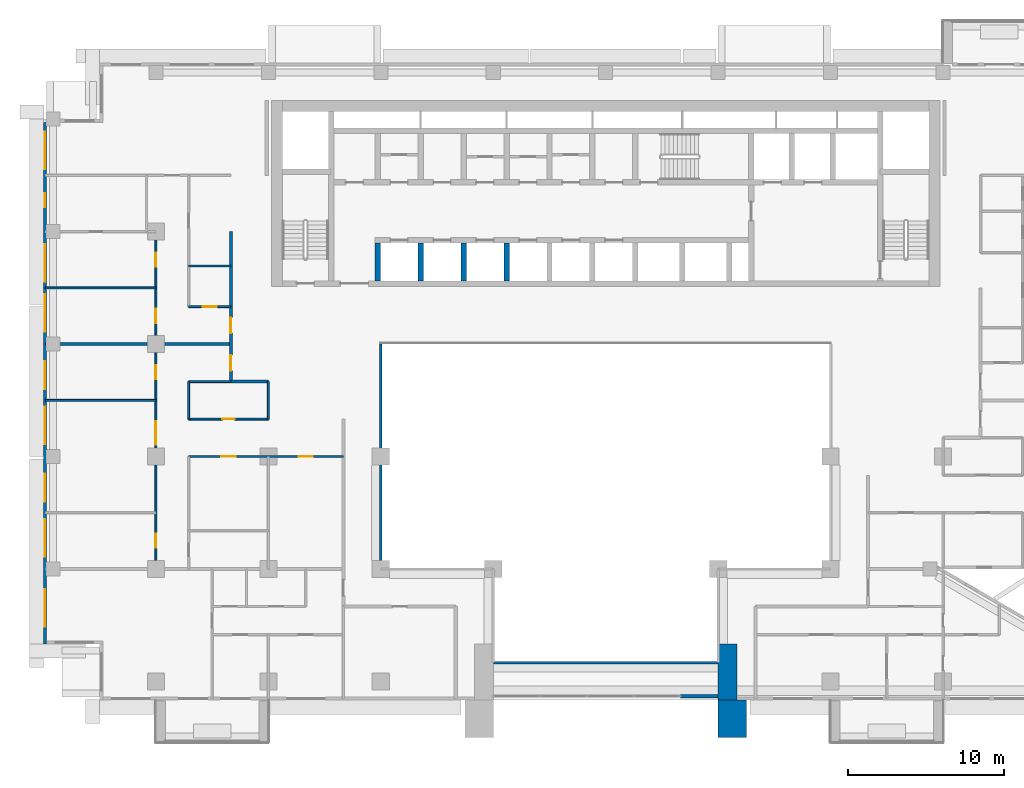
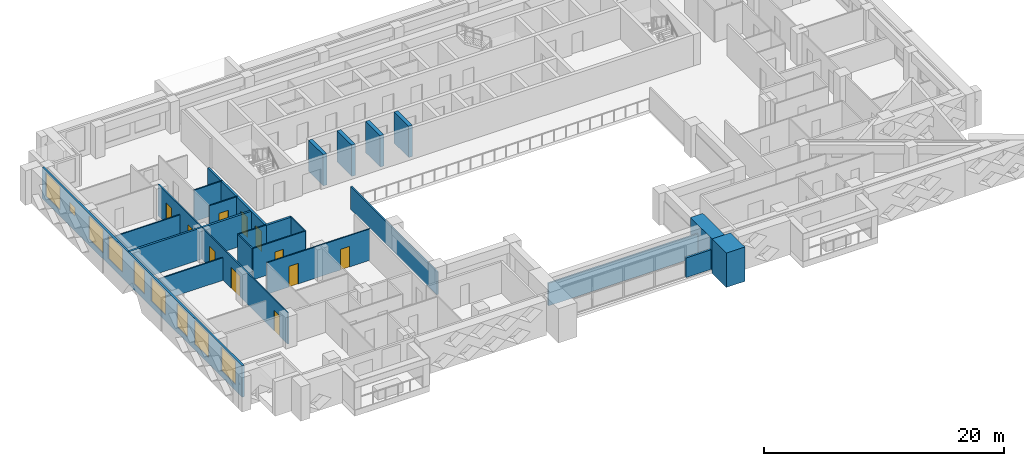
# One storey, part 7 of 19: 23 walls, 11 doors, 9 windows, 20 openings.
"""IFC4 building model written with IfcOpenShell, lengths in metres."""

from ifc_helpers import new_model, si_unit, direction, frame, frame_2d, origin, place, context, subcontext, project, spatial, rectangle, extrude, material, layer, layer_set, type_object, element, fill, save


model = new_model("IFC4")

# Units and contexts
model_context = context("Model", 3, precision=1e-05, world=origin(), true_north=direction((0.0, 1.0)))
body_context = subcontext(model_context, "Body", "Model", "MODEL_VIEW")
ifc_project = project(units=[si_unit("LENGTHUNIT", "METRE"), si_unit("AREAUNIT", "SQUARE_METRE"), si_unit("VOLUMEUNIT", "CUBIC_METRE"), si_unit("PLANEANGLEUNIT", "RADIAN"), si_unit("MASSUNIT", "GRAM", prefix="KILO")], contexts=[model_context])

# Site, building, storey
site_placement = place(None, origin())
site = spatial("IfcSite", under=ifc_project, at=site_placement, CompositionType="ELEMENT")
building_placement = place(site_placement, origin())
building = spatial("IfcBuilding", under=site, at=building_placement, Name="Saffron Iwan Residences", CompositionType="ELEMENT")
storey_placement = place(building_placement, frame((0.0, 0.0, 116.5)))
storey = spatial("IfcBuildingStorey", under=building, at=storey_placement, Name="L30", CompositionType="ELEMENT", Elevation=116.5)

# Walls
ifc_material_1 = material(Name="Fire-rated glazing", Category="glass")
ifc_layer_1 = layer(ifc_material_1, 0.14990234375)
ifc_layer_set_1 = layer_set([ifc_layer_1], Name="Fire-rated glazing")
wall_type_1 = type_object("IfcWallType", Name="Atrium glazed screen 150", PredefinedType="SOLIDWALL", material=ifc_layer_set_1)
wall_1_placement = place(storey_placement, frame((43.199951171875, 42.0, 0.0), z_axis=(0.0, 0.0, 1.0), x_axis=(1.0, 0.0, 0.0)))
element("IfcWall", 1, at=wall_1_placement, inside=storey, type_object=wall_type_1, Name="W-L30-SCREEN-h42-43.2", PredefinedType="SOLIDWALL", context=body_context, shape_type="SweptSolid", body=[
    extrude(rectangle(XDim=14.400146484375, YDim=0.14990234375, at=frame_2d((7.2001953125, 0.0))), origin(), (0.0, 0.0, 1.0), 2.300048828125),
])
wall_2_placement = place(storey_placement, frame((36.0, 48.0, 0.0), z_axis=(0.0, 0.0, 1.0), x_axis=(0.0, 1.0, 0.0)))
element("IfcWall", 2, at=wall_2_placement, inside=storey, type_object=wall_type_1, Name="W-L30-SCREEN-v36-48", PredefinedType="SOLIDWALL", context=body_context, shape_type="SweptSolid", body=[
    extrude(rectangle(XDim=14.39990234375, YDim=0.14990234375, at=frame_2d((7.199951171875, 0.0))), origin(), (0.0, 0.0, 1.0), 2.300048828125),
])

# Wall, openings, windows
ifc_material_2 = material(Name="Concrete C40/50", Category="concrete")
ifc_layer_2 = layer(ifc_material_2, 0.199951171875)
ifc_layer_set_2 = layer_set([ifc_layer_2], Name="Concrete C40/50")
wall_type_2 = type_object("IfcWallType", Name="EXTERNAL WALL 200", PredefinedType="SOLIDWALL", material=ifc_layer_set_2)
wall_3_placement = place(storey_placement, frame((14.5, 76.60009765625, 0.0), z_axis=(0.0, 0.0, 1.0), x_axis=(0.0, -1.0, 0.0)))
wall_3 = element("IfcWall", 3, at=wall_3_placement, inside=storey, type_object=wall_type_2, Name="External wall L30 F8.0", PredefinedType="SOLIDWALL", context=body_context, shape_type="SweptSolid", body=[
    extrude(rectangle(XDim=33.400146484375, YDim=0.199951171875, at=frame_2d((16.7001953125, 0.0))), origin(), (0.0, 0.0, 1.0), 3.199951171875),
])
opening_1_placement = place(wall_3_placement, frame((29.89990234375, 0.0, 0.60009765625)))
opening_1 = element("IfcOpeningElement", 4, at=opening_1_placement, cuts=wall_3, Name="Opening W1", PredefinedType="OPENING", context=body_context, shape_type="SweptSolid", body=[
    extrude(rectangle(XDim=2.39990234375, YDim=2.39990234375, at=frame_2d((1.199951171875, 1.199951171875))), frame((0.0, 0.10986328125, 0.0), z_axis=(0.0, -1.0, 0.0), x_axis=(1.0, 0.0, 0.0)), (0.0, 0.0, 1.0), 0.219970703125),
])
opening_2_placement = place(wall_3_placement, frame((25.39990234375, 0.0, 0.60009765625)))
opening_2 = element("IfcOpeningElement", 5, at=opening_2_placement, cuts=wall_3, Name="Opening W1", PredefinedType="OPENING", context=body_context, shape_type="SweptSolid", body=[
    extrude(rectangle(XDim=2.39990234375, YDim=2.39990234375, at=frame_2d((1.199951171875, 1.199951171875))), frame((0.0, 0.10986328125, 0.0), z_axis=(0.0, -1.0, 0.0), x_axis=(1.0, 0.0, 0.0)), (0.0, 0.0, 1.0), 0.219970703125),
])
opening_3_placement = place(wall_3_placement, frame((18.199951171875, 0.0, 0.60009765625)))
opening_3 = element("IfcOpeningElement", 6, at=opening_3_placement, cuts=wall_3, Name="Opening W1", PredefinedType="OPENING", context=body_context, shape_type="SweptSolid", body=[
    extrude(rectangle(XDim=2.39990234375, YDim=2.39990234375, at=frame_2d((1.199951171875, 1.199951171875))), frame((0.0, 0.10986328125, 0.0), z_axis=(0.0, -1.0, 0.0), x_axis=(1.0, 0.0, 0.0)), (0.0, 0.0, 1.0), 0.219970703125),
])
opening_4_placement = place(wall_3_placement, frame((22.5, 0.0, 0.60009765625)))
opening_4 = element("IfcOpeningElement", 7, at=opening_4_placement, cuts=wall_3, Name="Opening W8", PredefinedType="OPENING", context=body_context, shape_type="SweptSolid", body=[
    extrude(rectangle(XDim=1.800048828125, YDim=2.39990234375, at=frame_2d((0.89990234375, 1.199951171875))), frame((0.0, 0.10986328125, 0.0), z_axis=(0.0, -1.0, 0.0), x_axis=(1.0, 0.0, 0.0)), (0.0, 0.0, 1.0), 0.219970703125),
])
opening_5_placement = place(wall_3_placement, frame((15.300048828125, 0.0, 0.60009765625)))
opening_5 = element("IfcOpeningElement", 8, at=opening_5_placement, cuts=wall_3, Name="Opening W8", PredefinedType="OPENING", context=body_context, shape_type="SweptSolid", body=[
    extrude(rectangle(XDim=1.800048828125, YDim=2.39990234375, at=frame_2d((0.89990234375, 1.199951171875))), frame((0.0, 0.10986328125, 0.0), z_axis=(0.0, -1.0, 0.0), x_axis=(1.0, 0.0, 0.0)), (0.0, 0.0, 1.0), 0.219970703125),
])
opening_6_placement = place(wall_3_placement, frame((11.0, 0.0, 0.60009765625)))
opening_6 = element("IfcOpeningElement", 9, at=opening_6_placement, cuts=wall_3, Name="Opening W1", PredefinedType="OPENING", context=body_context, shape_type="SweptSolid", body=[
    extrude(rectangle(XDim=2.39990234375, YDim=2.39990234375, at=frame_2d((1.199951171875, 1.199951171875))), frame((0.0, 0.10986328125, 0.0), z_axis=(0.0, -1.0, 0.0), x_axis=(1.0, 0.0, 0.0)), (0.0, 0.0, 1.0), 0.219970703125),
])
opening_7_placement = place(wall_3_placement, frame((7.800048828125, 0.0, 0.60009765625)))
opening_7 = element("IfcOpeningElement", 10, at=opening_7_placement, cuts=wall_3, Name="Opening W1", PredefinedType="OPENING", context=body_context, shape_type="SweptSolid", body=[
    extrude(rectangle(XDim=2.39990234375, YDim=2.39990234375, at=frame_2d((1.199951171875, 1.199951171875))), frame((0.0, 0.10986328125, 0.0), z_axis=(0.0, -1.0, 0.0), x_axis=(1.0, 0.0, 0.0)), (0.0, 0.0, 1.0), 0.219970703125),
])
opening_8_placement = place(wall_3_placement, frame((4.550048828125, 0.0, 1.5)))
opening_8 = element("IfcOpeningElement", 11, at=opening_8_placement, cuts=wall_3, Name="Opening W6", PredefinedType="OPENING", context=body_context, shape_type="SweptSolid", body=[
    extrude(rectangle(XDim=0.89990234375, YDim=0.89990234375, at=frame_2d((0.449951171875, 0.449951171875))), frame((0.0, 0.10986328125, 0.0), z_axis=(0.0, -1.0, 0.0), x_axis=(1.0, 0.0, 0.0)), (0.0, 0.0, 1.0), 0.219970703125),
])
opening_9_placement = place(wall_3_placement, frame((0.60009765625, 0.0, 0.60009765625)))
opening_9 = element("IfcOpeningElement", 12, at=opening_9_placement, cuts=wall_3, Name="Opening W1", PredefinedType="OPENING", context=body_context, shape_type="SweptSolid", body=[
    extrude(rectangle(XDim=2.39990234375, YDim=2.39990234375, at=frame_2d((1.199951171875, 1.199951171875))), frame((0.0, 0.10986328125, 0.0), z_axis=(0.0, -1.0, 0.0), x_axis=(1.0, 0.0, 0.0)), (0.0, 0.0, 1.0), 0.219970703125),
])
ifc_material_3 = material(Name="Clear glass, laminated double glazed", Category="glass")
window_type_1 = type_object("IfcWindowType", Name="WINDOW 1800 x 2400", PartitioningType="DOUBLE_PANEL_VERTICAL", PredefinedType="WINDOW", material=ifc_material_3)
window_1_placement = place(opening_4_placement, origin())
window_1 = element("IfcWindow", 13, at=window_1_placement, inside=storey, type_object=window_type_1, Name="Window L30 F8.3", OverallHeight=2.39990234375, OverallWidth=1.800048828125, PartitioningType="DOUBLE_PANEL_VERTICAL", PredefinedType="WINDOW", context=body_context, shape_type="SweptSolid", body=[
    extrude(rectangle(XDim=1.800048828125, YDim=2.39990234375, at=frame_2d((0.89990234375, 1.199951171875))), frame((0.0, 0.030029296875, 0.0), z_axis=(0.0, -1.0, 0.0), x_axis=(1.0, 0.0, 0.0)), (0.0, 0.0, 1.0), 0.06005859375),
])
fill(opening_4, window_1)
window_2_placement = place(opening_5_placement, origin())
window_2 = element("IfcWindow", 14, at=window_2_placement, inside=storey, type_object=window_type_1, Name="Window L30 F8.4", OverallHeight=2.39990234375, OverallWidth=1.800048828125, PartitioningType="DOUBLE_PANEL_VERTICAL", PredefinedType="WINDOW", context=body_context, shape_type="SweptSolid", body=[
    extrude(rectangle(XDim=1.800048828125, YDim=2.39990234375, at=frame_2d((0.89990234375, 1.199951171875))), frame((0.0, 0.030029296875, 0.0), z_axis=(0.0, -1.0, 0.0), x_axis=(1.0, 0.0, 0.0)), (0.0, 0.0, 1.0), 0.06005859375),
])
fill(opening_5, window_2)
window_type_2 = type_object("IfcWindowType", Name="WINDOW 2400 x 2400", PartitioningType="DOUBLE_PANEL_VERTICAL", PredefinedType="WINDOW", material=ifc_material_3)
window_3_placement = place(opening_1_placement, origin())
window_3 = element("IfcWindow", 15, at=window_3_placement, inside=storey, type_object=window_type_2, Name="Window L30 F8.0", OverallHeight=2.39990234375, OverallWidth=2.39990234375, PartitioningType="DOUBLE_PANEL_VERTICAL", PredefinedType="WINDOW", context=body_context, shape_type="SweptSolid", body=[
    extrude(rectangle(XDim=2.39990234375, YDim=2.39990234375, at=frame_2d((1.199951171875, 1.199951171875))), frame((0.0, 0.030029296875, 0.0), z_axis=(0.0, -1.0, 0.0), x_axis=(1.0, 0.0, 0.0)), (0.0, 0.0, 1.0), 0.06005859375),
])
fill(opening_1, window_3)
window_4_placement = place(opening_2_placement, origin())
window_4 = element("IfcWindow", 16, at=window_4_placement, inside=storey, type_object=window_type_2, Name="Window L30 F8.1", OverallHeight=2.39990234375, OverallWidth=2.39990234375, PartitioningType="DOUBLE_PANEL_VERTICAL", PredefinedType="WINDOW", context=body_context, shape_type="SweptSolid", body=[
    extrude(rectangle(XDim=2.39990234375, YDim=2.39990234375, at=frame_2d((1.199951171875, 1.199951171875))), frame((0.0, 0.030029296875, 0.0), z_axis=(0.0, -1.0, 0.0), x_axis=(1.0, 0.0, 0.0)), (0.0, 0.0, 1.0), 0.06005859375),
])
fill(opening_2, window_4)
window_5_placement = place(opening_3_placement, origin())
window_5 = element("IfcWindow", 17, at=window_5_placement, inside=storey, type_object=window_type_2, Name="Window L30 F8.2", OverallHeight=2.39990234375, OverallWidth=2.39990234375, PartitioningType="DOUBLE_PANEL_VERTICAL", PredefinedType="WINDOW", context=body_context, shape_type="SweptSolid", body=[
    extrude(rectangle(XDim=2.39990234375, YDim=2.39990234375, at=frame_2d((1.199951171875, 1.199951171875))), frame((0.0, 0.030029296875, 0.0), z_axis=(0.0, -1.0, 0.0), x_axis=(1.0, 0.0, 0.0)), (0.0, 0.0, 1.0), 0.06005859375),
])
fill(opening_3, window_5)
window_6_placement = place(opening_6_placement, origin())
window_6 = element("IfcWindow", 18, at=window_6_placement, inside=storey, type_object=window_type_2, Name="Window L30 F8.5", OverallHeight=2.39990234375, OverallWidth=2.39990234375, PartitioningType="DOUBLE_PANEL_VERTICAL", PredefinedType="WINDOW", context=body_context, shape_type="SweptSolid", body=[
    extrude(rectangle(XDim=2.39990234375, YDim=2.39990234375, at=frame_2d((1.199951171875, 1.199951171875))), frame((0.0, 0.030029296875, 0.0), z_axis=(0.0, -1.0, 0.0), x_axis=(1.0, 0.0, 0.0)), (0.0, 0.0, 1.0), 0.06005859375),
])
fill(opening_6, window_6)
window_7_placement = place(opening_7_placement, origin())
window_7 = element("IfcWindow", 19, at=window_7_placement, inside=storey, type_object=window_type_2, Name="Window L30 F8.6", OverallHeight=2.39990234375, OverallWidth=2.39990234375, PartitioningType="DOUBLE_PANEL_VERTICAL", PredefinedType="WINDOW", context=body_context, shape_type="SweptSolid", body=[
    extrude(rectangle(XDim=2.39990234375, YDim=2.39990234375, at=frame_2d((1.199951171875, 1.199951171875))), frame((0.0, 0.030029296875, 0.0), z_axis=(0.0, -1.0, 0.0), x_axis=(1.0, 0.0, 0.0)), (0.0, 0.0, 1.0), 0.06005859375),
])
fill(opening_7, window_7)
window_8_placement = place(opening_9_placement, origin())
window_8 = element("IfcWindow", 20, at=window_8_placement, inside=storey, type_object=window_type_2, Name="Window L30 F8.8", OverallHeight=2.39990234375, OverallWidth=2.39990234375, PartitioningType="DOUBLE_PANEL_VERTICAL", PredefinedType="WINDOW", context=body_context, shape_type="SweptSolid", body=[
    extrude(rectangle(XDim=2.39990234375, YDim=2.39990234375, at=frame_2d((1.199951171875, 1.199951171875))), frame((0.0, 0.030029296875, 0.0), z_axis=(0.0, -1.0, 0.0), x_axis=(1.0, 0.0, 0.0)), (0.0, 0.0, 1.0), 0.06005859375),
])
fill(opening_9, window_8)
window_type_3 = type_object("IfcWindowType", Name="WINDOW 900 x 900 BATH", PartitioningType="SINGLE_PANEL", PredefinedType="WINDOW", material=ifc_material_3)
window_9_placement = place(opening_8_placement, origin())
window_9 = element("IfcWindow", 21, at=window_9_placement, inside=storey, type_object=window_type_3, Name="Window L30 F8.7", OverallHeight=0.89990234375, OverallWidth=0.89990234375, PartitioningType="SINGLE_PANEL", PredefinedType="WINDOW", context=body_context, shape_type="SweptSolid", body=[
    extrude(rectangle(XDim=0.89990234375, YDim=0.89990234375, at=frame_2d((0.449951171875, 0.449951171875))), frame((0.0, 0.030029296875, 0.0), z_axis=(0.0, -1.0, 0.0), x_axis=(1.0, 0.0, 0.0)), (0.0, 0.0, 1.0), 0.06005859375),
])
fill(opening_8, window_9)

# Walls
wall_4_placement = place(storey_placement, frame((55.199951171875, 39.85009765625, 0.0), z_axis=(0.0, 0.0, 1.0), x_axis=(1.0, 0.0, 0.0)))
element("IfcWall", 22, at=wall_4_placement, inside=storey, type_object=wall_type_2, Name="External wall infill CWB-L30-0", PredefinedType="SOLIDWALL", context=body_context, shape_type="SweptSolid", body=[
    extrude(rectangle(XDim=2.400146484375, YDim=0.199951171875, at=frame_2d((1.2001953125, 0.0))), origin(), (0.0, 0.0, 1.0), 2.0),
])
ifc_material_4 = material(Name="Fire-rated gypsum board wall")
ifc_layer_3 = layer(ifc_material_4, 0.199951171875)
ifc_layer_set_3 = layer_set([ifc_layer_3], Name="Fire-rated gypsum board wall")
wall_type_3 = type_object("IfcWallType", Name="Flat demising wall 200", PredefinedType="SOLIDWALL", material=ifc_layer_set_3)
wall_5_placement = place(storey_placement, frame((14.52490234375, 62.39990234375, 0.0), z_axis=(0.0, 0.0, 1.0), x_axis=(1.0, 0.0, 0.0)))
element("IfcWall", 23, at=wall_5_placement, inside=storey, type_object=wall_type_3, Name="W-L30-DEMISE-h62.4-14.525", PredefinedType="SOLIDWALL", context=body_context, shape_type="SweptSolid", body=[
    extrude(rectangle(XDim=11.875, YDim=0.199951171875, at=frame_2d((5.9375, 0.0))), origin(), (0.0, 0.0, 1.0), 3.199951171875),
])

# Wall, openings, doors
ifc_material_5 = material(Name="Gypsum board partition")
ifc_layer_4 = layer(ifc_material_5, 0.1201171875)
ifc_layer_set_4 = layer_set([ifc_layer_4], Name="Gypsum board partition")
wall_type_4 = type_object("IfcWallType", Name="Flat partition 120", PredefinedType="PARTITIONING", material=ifc_layer_set_4)
wall_6_placement = place(storey_placement, frame((23.699951171875, 55.199951171875, 0.0), z_axis=(0.0, 0.0, 1.0), x_axis=(1.0, 0.0, 0.0)))
wall_6 = element("IfcWall", 24, at=wall_6_placement, inside=storey, type_object=wall_type_4, Name="W-L30-PART-h55.2-23.7", PredefinedType="PARTITIONING", context=body_context, shape_type="SweptSolid", body=[
    extrude(rectangle(XDim=9.900146484375, YDim=0.1201171875, at=frame_2d((4.9501953125, 0.0))), origin(), (0.0, 0.0, 1.0), 3.199951171875),
])
opening_10_placement = place(wall_6_placement, frame((2.10009765625, 0.0, 0.0)))
opening_10 = element("IfcOpeningElement", 25, at=opening_10_placement, cuts=wall_6, Name="Opening FD2", PredefinedType="OPENING", context=body_context, shape_type="SweptSolid", body=[
    extrude(rectangle(XDim=0.89990234375, YDim=2.10009765625, at=frame_2d((0.449951171875, 1.050048828125))), frame((0.0, 0.070068359375, 0.0), z_axis=(0.0, -1.0, 0.0), x_axis=(1.0, 0.0, 0.0)), (0.0, 0.0, 1.0), 0.14013671875),
])
opening_11_placement = place(wall_6_placement, frame((7.050048828125, 0.0, 0.0)))
opening_11 = element("IfcOpeningElement", 26, at=opening_11_placement, cuts=wall_6, Name="Opening FD2", PredefinedType="OPENING", context=body_context, shape_type="SweptSolid", body=[
    extrude(rectangle(XDim=0.89990234375, YDim=2.10009765625, at=frame_2d((0.449951171875, 1.050048828125))), frame((0.0, 0.070068359375, 0.0), z_axis=(0.0, -1.0, 0.0), x_axis=(1.0, 0.0, 0.0)), (0.0, 0.0, 1.0), 0.14013671875),
])
ifc_material_6 = material(Name="Timber door", Category="wood")
door_type_1 = type_object("IfcDoorType", Name="Flat door 900", OperationType="NOTDEFINED", PredefinedType="DOOR", material=ifc_material_6)
door_1_placement = place(opening_10_placement, origin())
door_1 = element("IfcDoor", 27, at=door_1_placement, inside=storey, type_object=door_type_1, Name="Door L30-013", OperationType="SINGLE_SWING_RIGHT", OverallHeight=2.10009765625, OverallWidth=0.89990234375, PredefinedType="DOOR", context=body_context, shape_type="SweptSolid", body=[
    extrude(rectangle(XDim=0.89990234375, YDim=2.10009765625, at=frame_2d((0.449951171875, 1.050048828125))), frame((0.0, 0.02490234375, 0.0), z_axis=(0.0, -1.0, 0.0), x_axis=(1.0, 0.0, 0.0)), (0.0, 0.0, 1.0), 0.050048828125),
])
fill(opening_10, door_1)
door_2_placement = place(opening_11_placement, origin())
door_2 = element("IfcDoor", 28, at=door_2_placement, inside=storey, type_object=door_type_1, Name="Door L30-015", OperationType="SINGLE_SWING_LEFT", OverallHeight=2.10009765625, OverallWidth=0.89990234375, PredefinedType="DOOR", context=body_context, shape_type="SweptSolid", body=[
    extrude(rectangle(XDim=0.89990234375, YDim=2.10009765625, at=frame_2d((0.449951171875, 1.050048828125))), frame((0.0, 0.02490234375, 0.0), z_axis=(0.0, -1.0, 0.0), x_axis=(1.0, 0.0, 0.0)), (0.0, 0.0, 1.0), 0.050048828125),
])
fill(opening_11, door_2)

# Wall, opening, door
wall_7_placement = place(storey_placement, frame((23.699951171875, 57.60009765625, 0.0), z_axis=(0.0, 0.0, 1.0), x_axis=(1.0, 0.0, 0.0)))
wall_7 = element("IfcWall", 29, at=wall_7_placement, inside=storey, type_object=wall_type_4, Name="W-L30-PART-h57.6-23.7", PredefinedType="PARTITIONING", context=body_context, shape_type="SweptSolid", body=[
    extrude(rectangle(XDim=5.10009765625, YDim=0.1201171875, at=frame_2d((2.550048828125, 0.0))), origin(), (0.0, 0.0, 1.0), 3.199951171875),
])
opening_12_placement = place(wall_7_placement, frame((2.14990234375, 0.0, 0.0)))
opening_12 = element("IfcOpeningElement", 30, at=opening_12_placement, cuts=wall_7, Name="Opening FD3", PredefinedType="OPENING", context=body_context, shape_type="SweptSolid", body=[
    extrude(rectangle(XDim=0.800048828125, YDim=2.10009765625, at=frame_2d((0.39990234375, 1.050048828125))), frame((0.0, 0.070068359375, 0.0), z_axis=(0.0, -1.0, 0.0), x_axis=(1.0, 0.0, 0.0)), (0.0, 0.0, 1.0), 0.14013671875),
])
door_type_2 = type_object("IfcDoorType", Name="Bathroom door 800", OperationType="NOTDEFINED", PredefinedType="DOOR", material=ifc_material_6)
door_3_placement = place(opening_12_placement, origin())
door_3 = element("IfcDoor", 31, at=door_3_placement, inside=storey, type_object=door_type_2, Name="Door L30-014", OperationType="SINGLE_SWING_LEFT", OverallHeight=2.10009765625, OverallWidth=0.800048828125, PredefinedType="DOOR", context=body_context, shape_type="SweptSolid", body=[
    extrude(rectangle(XDim=0.800048828125, YDim=2.10009765625, at=frame_2d((0.39990234375, 1.050048828125))), frame((0.0, 0.02490234375, 0.0), z_axis=(0.0, -1.0, 0.0), x_axis=(1.0, 0.0, 0.0)), (0.0, 0.0, 1.0), 0.050048828125),
])
fill(opening_12, door_3)

# Walls
wall_8_placement = place(storey_placement, frame((14.52490234375, 58.800048828125, 0.0), z_axis=(0.0, 0.0, 1.0), x_axis=(1.0, 0.0, 0.0)))
element("IfcWall", 32, at=wall_8_placement, inside=storey, type_object=wall_type_4, Name="W-L30-PART-h58.8-14.525", PredefinedType="PARTITIONING", context=body_context, shape_type="SweptSolid", body=[
    extrude(rectangle(XDim=7.0751953125, YDim=0.1201171875, at=frame_2d((3.53759765625, 0.0))), origin(), (0.0, 0.0, 1.0), 2.300048828125),
])
wall_9_placement = place(storey_placement, frame((23.699951171875, 60.0, 0.0), z_axis=(0.0, 0.0, 1.0), x_axis=(1.0, 0.0, 0.0)))
element("IfcWall", 33, at=wall_9_placement, inside=storey, type_object=wall_type_4, Name="W-L30-PART-h60-23.7", PredefinedType="PARTITIONING", context=body_context, shape_type="SweptSolid", body=[
    extrude(rectangle(XDim=2.699951171875, YDim=0.1201171875, at=frame_2d((1.35009765625, 0.0))), origin(), (0.0, 0.0, 1.0), 3.199951171875),
])

# Wall, opening, door
wall_10_placement = place(storey_placement, frame((23.699951171875, 64.800048828125, 0.0), z_axis=(0.0, 0.0, 1.0), x_axis=(1.0, 0.0, 0.0)))
wall_10 = element("IfcWall", 34, at=wall_10_placement, inside=storey, type_object=wall_type_4, Name="W-L30-PART-h64.8-23.7", PredefinedType="PARTITIONING", context=body_context, shape_type="SweptSolid", body=[
    extrude(rectangle(XDim=2.699951171875, YDim=0.1201171875, at=frame_2d((1.35009765625, 0.0))), origin(), (0.0, 0.0, 1.0), 3.199951171875),
])
opening_13_placement = place(wall_10_placement, frame((0.89990234375, 0.0, 0.0)))
opening_13 = element("IfcOpeningElement", 35, at=opening_13_placement, cuts=wall_10, Name="Opening FD2", PredefinedType="OPENING", context=body_context, shape_type="SweptSolid", body=[
    extrude(rectangle(XDim=0.89990234375, YDim=2.10009765625, at=frame_2d((0.449951171875, 1.050048828125))), frame((0.0, 0.070068359375, 0.0), z_axis=(0.0, -1.0, 0.0), x_axis=(1.0, 0.0, 0.0)), (0.0, 0.0, 1.0), 0.14013671875),
])
door_4_placement = place(opening_13_placement, origin())
door_4 = element("IfcDoor", 36, at=door_4_placement, inside=storey, type_object=door_type_1, Name="Door L30-027", OperationType="SINGLE_SWING_LEFT", OverallHeight=2.10009765625, OverallWidth=0.89990234375, PredefinedType="DOOR", context=body_context, shape_type="SweptSolid", body=[
    extrude(rectangle(XDim=0.89990234375, YDim=2.10009765625, at=frame_2d((0.449951171875, 1.050048828125))), frame((0.0, 0.02490234375, 0.0), z_axis=(0.0, -1.0, 0.0), x_axis=(1.0, 0.0, 0.0)), (0.0, 0.0, 1.0), 0.050048828125),
])
fill(opening_13, door_4)

# Walls
wall_11_placement = place(storey_placement, frame((14.52490234375, 66.0, 0.0), z_axis=(0.0, 0.0, 1.0), x_axis=(1.0, 0.0, 0.0)))
element("IfcWall", 37, at=wall_11_placement, inside=storey, type_object=wall_type_4, Name="W-L30-PART-h66-14.525", PredefinedType="PARTITIONING", context=body_context, shape_type="SweptSolid", body=[
    extrude(rectangle(XDim=7.0751953125, YDim=0.1201171875, at=frame_2d((3.53759765625, 0.0))), origin(), (0.0, 0.0, 1.0), 2.300048828125),
])
wall_12_placement = place(storey_placement, frame((23.699951171875, 67.39990234375, 0.0), z_axis=(0.0, 0.0, 1.0), x_axis=(1.0, 0.0, 0.0)))
element("IfcWall", 38, at=wall_12_placement, inside=storey, type_object=wall_type_4, Name="W-L30-PART-h67.4-23.7", PredefinedType="PARTITIONING", context=body_context, shape_type="SweptSolid", body=[
    extrude(rectangle(XDim=2.699951171875, YDim=0.1201171875, at=frame_2d((1.35009765625, 0.0))), origin(), (0.0, 0.0, 1.0), 3.199951171875),
])

# Wall, openings, doors
wall_13_placement = place(storey_placement, frame((21.60009765625, 48.0, 0.0), z_axis=(0.0, 0.0, 1.0), x_axis=(0.0, 1.0, 0.0)))
wall_13 = element("IfcWall", 39, at=wall_13_placement, inside=storey, type_object=wall_type_4, Name="W-L30-PART-v21.6-48", PredefinedType="PARTITIONING", context=body_context, shape_type="SweptSolid", body=[
    extrude(rectangle(XDim=21.60009765625, YDim=0.1201171875, at=frame_2d((10.800048828125, 0.0))), origin(), (0.0, 0.0, 1.0), 3.199951171875),
])
opening_14_placement = place(wall_13_placement, frame((1.35009765625, 0.0, 0.0)))
opening_14 = element("IfcOpeningElement", 40, at=opening_14_placement, cuts=wall_13, Name="Opening FD2", PredefinedType="OPENING", context=body_context, shape_type="SweptSolid", body=[
    extrude(rectangle(XDim=0.89990234375, YDim=2.10009765625, at=frame_2d((0.449951171875, 1.050048828125))), frame((0.0, 0.070068359375, 0.0), z_axis=(0.0, -1.0, 0.0), x_axis=(1.0, 0.0, 0.0)), (0.0, 0.0, 1.0), 0.14013671875),
])
opening_15_placement = place(wall_13_placement, frame((7.949951171875, 0.0, 0.0)))
opening_15 = element("IfcOpeningElement", 41, at=opening_15_placement, cuts=wall_13, Name="Opening FD4", PredefinedType="OPENING", context=body_context, shape_type="SweptSolid", body=[
    extrude(rectangle(XDim=1.5, YDim=2.10009765625, at=frame_2d((0.75, 1.050048828125))), frame((0.0, 0.070068359375, 0.0), z_axis=(0.0, -1.0, 0.0), x_axis=(1.0, 0.0, 0.0)), (0.0, 0.0, 1.0), 0.14013671875),
])
opening_16_placement = place(wall_13_placement, frame((12.14990234375, 0.0, 0.0)))
opening_16 = element("IfcOpeningElement", 42, at=opening_16_placement, cuts=wall_13, Name="Opening FD2", PredefinedType="OPENING", context=body_context, shape_type="SweptSolid", body=[
    extrude(rectangle(XDim=0.89990234375, YDim=2.10009765625, at=frame_2d((0.449951171875, 1.050048828125))), frame((0.0, 0.070068359375, 0.0), z_axis=(0.0, -1.0, 0.0), x_axis=(1.0, 0.0, 0.0)), (0.0, 0.0, 1.0), 0.14013671875),
])
opening_17_placement = place(wall_13_placement, frame((15.75, 0.0, 0.0)))
opening_17 = element("IfcOpeningElement", 43, at=opening_17_placement, cuts=wall_13, Name="Opening FD2", PredefinedType="OPENING", context=body_context, shape_type="SweptSolid", body=[
    extrude(rectangle(XDim=0.89990234375, YDim=2.10009765625, at=frame_2d((0.449951171875, 1.050048828125))), frame((0.0, 0.070068359375, 0.0), z_axis=(0.0, -1.0, 0.0), x_axis=(1.0, 0.0, 0.0)), (0.0, 0.0, 1.0), 0.14013671875),
])
opening_18_placement = place(wall_13_placement, frame((19.35009765625, 0.0, 0.0)))
opening_18 = element("IfcOpeningElement", 44, at=opening_18_placement, cuts=wall_13, Name="Opening FD2", PredefinedType="OPENING", context=body_context, shape_type="SweptSolid", body=[
    extrude(rectangle(XDim=0.89990234375, YDim=2.10009765625, at=frame_2d((0.449951171875, 1.050048828125))), frame((0.0, 0.070068359375, 0.0), z_axis=(0.0, -1.0, 0.0), x_axis=(1.0, 0.0, 0.0)), (0.0, 0.0, 1.0), 0.14013671875),
])
door_type_3 = type_object("IfcDoorType", Name="Double door 1500", OperationType="NOTDEFINED", PredefinedType="DOOR", material=ifc_material_6)
door_5_placement = place(opening_15_placement, origin())
door_5 = element("IfcDoor", 45, at=door_5_placement, inside=storey, type_object=door_type_3, Name="Door L30-010", OperationType="SINGLE_SWING_LEFT", OverallHeight=2.10009765625, OverallWidth=1.5, PredefinedType="DOOR", context=body_context, shape_type="SweptSolid", body=[
    extrude(rectangle(XDim=1.5, YDim=2.10009765625, at=frame_2d((0.75, 1.050048828125))), frame((0.0, 0.02490234375, 0.0), z_axis=(0.0, -1.0, 0.0), x_axis=(1.0, 0.0, 0.0)), (0.0, 0.0, 1.0), 0.050048828125),
])
fill(opening_15, door_5)
door_6_placement = place(opening_14_placement, origin())
door_6 = element("IfcDoor", 46, at=door_6_placement, inside=storey, type_object=door_type_1, Name="Door L30-009", OperationType="SINGLE_SWING_LEFT", OverallHeight=2.10009765625, OverallWidth=0.89990234375, PredefinedType="DOOR", context=body_context, shape_type="SweptSolid", body=[
    extrude(rectangle(XDim=0.89990234375, YDim=2.10009765625, at=frame_2d((0.449951171875, 1.050048828125))), frame((0.0, 0.02490234375, 0.0), z_axis=(0.0, -1.0, 0.0), x_axis=(1.0, 0.0, 0.0)), (0.0, 0.0, 1.0), 0.050048828125),
])
fill(opening_14, door_6)
door_7_placement = place(opening_16_placement, origin())
door_7 = element("IfcDoor", 47, at=door_7_placement, inside=storey, type_object=door_type_1, Name="Door L30-011", OperationType="SINGLE_SWING_LEFT", OverallHeight=2.10009765625, OverallWidth=0.89990234375, PredefinedType="DOOR", context=body_context, shape_type="SweptSolid", body=[
    extrude(rectangle(XDim=0.89990234375, YDim=2.10009765625, at=frame_2d((0.449951171875, 1.050048828125))), frame((0.0, 0.02490234375, 0.0), z_axis=(0.0, -1.0, 0.0), x_axis=(1.0, 0.0, 0.0)), (0.0, 0.0, 1.0), 0.050048828125),
])
fill(opening_16, door_7)
door_8_placement = place(opening_17_placement, origin())
door_8 = element("IfcDoor", 48, at=door_8_placement, inside=storey, type_object=door_type_1, Name="Door L30-023", OperationType="SINGLE_SWING_LEFT", OverallHeight=2.10009765625, OverallWidth=0.89990234375, PredefinedType="DOOR", context=body_context, shape_type="SweptSolid", body=[
    extrude(rectangle(XDim=0.89990234375, YDim=2.10009765625, at=frame_2d((0.449951171875, 1.050048828125))), frame((0.0, 0.02490234375, 0.0), z_axis=(0.0, -1.0, 0.0), x_axis=(1.0, 0.0, 0.0)), (0.0, 0.0, 1.0), 0.050048828125),
])
fill(opening_17, door_8)
door_9_placement = place(opening_18_placement, origin())
door_9 = element("IfcDoor", 49, at=door_9_placement, inside=storey, type_object=door_type_1, Name="Door L30-024", OperationType="SINGLE_SWING_LEFT", OverallHeight=2.10009765625, OverallWidth=0.89990234375, PredefinedType="DOOR", context=body_context, shape_type="SweptSolid", body=[
    extrude(rectangle(XDim=0.89990234375, YDim=2.10009765625, at=frame_2d((0.449951171875, 1.050048828125))), frame((0.0, 0.02490234375, 0.0), z_axis=(0.0, -1.0, 0.0), x_axis=(1.0, 0.0, 0.0)), (0.0, 0.0, 1.0), 0.050048828125),
])
fill(opening_18, door_9)

# Walls
for number, where, z_axis, x_axis, name in (
    (50, (23.699951171875, 57.60009765625, 0.0), (0.0, 0.0, 1.0), (0.0, 1.0, 0.0), "W-L30-PART-v23.7-57.6"),
    (51, (28.800048828125, 57.60009765625, 0.0), (0.0, 0.0, 1.0), (0.0, 1.0, 0.0), "W-L30-PART-v28.8-57.6"),
):
    element("IfcWall", number, at=place(storey_placement, frame(where, z_axis=z_axis, x_axis=x_axis)), inside=storey, type_object=wall_type_4, Name=name, PredefinedType="PARTITIONING", context=body_context, shape_type="SweptSolid", body=[
        extrude(rectangle(XDim=2.39990234375, YDim=0.1201171875, at=frame_2d((1.199951171875, 0.0))), origin(), (0.0, 0.0, 1.0), 3.199951171875),
    ])
ifc_layer_5 = layer(ifc_material_4, 0.199951171875)
ifc_layer_set_5 = layer_set([ifc_layer_5], Name="Fire-rated gypsum board wall")
wall_type_5 = type_object("IfcWallType", Name="Gallery wall 200", PredefinedType="SOLIDWALL", material=ifc_layer_set_5)
wall_14_placement = place(storey_placement, frame((26.39990234375, 60.0, 0.0), z_axis=(0.0, 0.0, 1.0), x_axis=(1.0, 0.0, 0.0)))
element("IfcWall", 52, at=wall_14_placement, inside=storey, type_object=wall_type_5, Name="W-L30-CORR-h60-26.4", PredefinedType="SOLIDWALL", context=body_context, shape_type="SweptSolid", body=[
    extrude(rectangle(XDim=2.400146484375, YDim=0.199951171875, at=frame_2d((1.2001953125, 0.0))), origin(), (0.0, 0.0, 1.0), 3.199951171875),
])

# Wall, openings, doors
wall_15_placement = place(storey_placement, frame((26.39990234375, 60.0, 0.0), z_axis=(0.0, 0.0, 1.0), x_axis=(0.0, 1.0, 0.0)))
wall_15 = element("IfcWall", 53, at=wall_15_placement, inside=storey, type_object=wall_type_5, Name="W-L30-CORR-v26.4-60", PredefinedType="SOLIDWALL", context=body_context, shape_type="SweptSolid", body=[
    extrude(rectangle(XDim=9.60009765625, YDim=0.199951171875, at=frame_2d((4.800048828125, 0.0))), origin(), (0.0, 0.0, 1.0), 3.199951171875),
])
opening_19_placement = place(wall_15_placement, frame((0.699951171875, 0.0, 0.0)))
opening_19 = element("IfcOpeningElement", 54, at=opening_19_placement, cuts=wall_15, Name="Opening FD1", PredefinedType="OPENING", context=body_context, shape_type="SweptSolid", body=[
    extrude(rectangle(XDim=1.0, YDim=2.10009765625, at=frame_2d((0.5, 1.050048828125))), frame((0.0, 0.10986328125, 0.0), z_axis=(0.0, -1.0, 0.0), x_axis=(1.0, 0.0, 0.0)), (0.0, 0.0, 1.0), 0.219970703125),
])
opening_20_placement = place(wall_15_placement, frame((3.10009765625, 0.0, 0.0)))
opening_20 = element("IfcOpeningElement", 55, at=opening_20_placement, cuts=wall_15, Name="Opening FD1", PredefinedType="OPENING", context=body_context, shape_type="SweptSolid", body=[
    extrude(rectangle(XDim=1.0, YDim=2.10009765625, at=frame_2d((0.5, 1.050048828125))), frame((0.0, 0.10986328125, 0.0), z_axis=(0.0, -1.0, 0.0), x_axis=(1.0, 0.0, 0.0)), (0.0, 0.0, 1.0), 0.219970703125),
])
ifc_material_7 = material(Name="Fire-rated timber door", Category="wood")
door_type_4 = type_object("IfcDoorType", Name="FD30S flat entrance door 1000", OperationType="NOTDEFINED", PredefinedType="DOOR", material=ifc_material_7)
door_10_placement = place(opening_19_placement, origin())
door_10 = element("IfcDoor", 56, at=door_10_placement, inside=storey, type_object=door_type_4, Name="Door L30-008", OperationType="SINGLE_SWING_LEFT", OverallHeight=2.10009765625, OverallWidth=1.0, PredefinedType="DOOR", context=body_context, shape_type="SweptSolid", body=[
    extrude(rectangle(XDim=1.0, YDim=2.10009765625, at=frame_2d((0.5, 1.050048828125))), frame((0.0, 0.02490234375, 0.0), z_axis=(0.0, -1.0, 0.0), x_axis=(1.0, 0.0, 0.0)), (0.0, 0.0, 1.0), 0.050048828125),
])
fill(opening_19, door_10)
door_11_placement = place(opening_20_placement, origin())
door_11 = element("IfcDoor", 57, at=door_11_placement, inside=storey, type_object=door_type_4, Name="Door L30-022", OperationType="SINGLE_SWING_RIGHT", OverallHeight=2.10009765625, OverallWidth=1.0, PredefinedType="DOOR", context=body_context, shape_type="SweptSolid", body=[
    extrude(rectangle(XDim=1.0, YDim=2.10009765625, at=frame_2d((0.5, 1.050048828125))), frame((0.0, 0.02490234375, 0.0), z_axis=(0.0, -1.0, 0.0), x_axis=(1.0, 0.0, 0.0)), (0.0, 0.0, 1.0), 0.050048828125),
])
fill(opening_20, door_11)

# Walls
ifc_material_8 = material(Name="Terracotta screen, precast concrete C40/50", Category="masonry")
ifc_layer_6 = layer(ifc_material_8, 1.800048828125)
ifc_layer_set_6 = layer_set([ifc_layer_6], Name="Terracotta screen, precast concrete C40/50")
wall_type_6 = type_object("IfcWallType", Name="Portal pier, precast concrete 1800 (tower)", PredefinedType="SOLIDWALL", material=ifc_layer_set_6)
wall_16_placement = place(storey_placement, frame((58.5, 37.199951171875, -0.300048828125), z_axis=(0.0, 0.0, 1.0), x_axis=(0.0, 1.0, 0.0)))
element("IfcWall", 58, at=wall_16_placement, inside=storey, type_object=wall_type_6, Name="Portal pier E L30", PredefinedType="SOLIDWALL", context=body_context, shape_type="SweptSolid", body=[
    extrude(rectangle(XDim=2.400146484375, YDim=1.800048828125, at=frame_2d((1.2001953125, 0.0))), origin(), (0.0, 0.0, 1.0), 3.5),
])
ifc_material_9 = material(Name="Concrete C50/60", Category="concrete")
ifc_layer_7 = layer(ifc_material_9, 0.35009765625)
ifc_layer_set_7 = layer_set([ifc_layer_7], Name="Concrete C50/60")
wall_type_7 = type_object("IfcWallType", Name="WALL CORE 350 C50/60 3200 HIGH", PredefinedType="SHEAR", material=ifc_layer_set_7)
for number, where, z_axis, x_axis, name in (
    (59, (35.800048828125, 66.449951171875, 0.0), (0.0, 0.0, 1.0), (0.0, 1.0, 0.0), "Core wall"),
    (60, (38.550048828125, 66.449951171875, 0.0), (0.0, 0.0, 1.0), (0.0, 1.0, 0.0), "Core wall"),
    (61, (41.300048828125, 66.449951171875, 0.0), (0.0, 0.0, 1.0), (0.0, 1.0, 0.0), "Core wall"),
    (62, (44.050048828125, 66.449951171875, 0.0), (0.0, 0.0, 1.0), (0.0, 1.0, 0.0), "Core wall"),
):
    element("IfcWall", number, at=place(storey_placement, frame(where, z_axis=z_axis, x_axis=x_axis)), inside=storey, type_object=wall_type_7, Name=name, PredefinedType="SHEAR", context=body_context, shape_type="SweptSolid", body=[
        extrude(rectangle(XDim=2.425048828125, YDim=0.35009765625, at=frame_2d((1.21240234375, 0.0))), origin(), (0.0, 0.0, 1.0), 3.199951171875),
    ])
ifc_layer_8 = layer(ifc_material_9, 1.199951171875)
ifc_layer_set_8 = layer_set([ifc_layer_8], Name="Concrete C50/60")
wall_type_8 = type_object("IfcWallType", Name="WALL IWAN PIER 1200 C50/60 3200 HIGH", PredefinedType="SHEAR", material=ifc_layer_set_8)
wall_17_placement = place(storey_placement, frame((58.199951171875, 39.60009765625, 0.0), z_axis=(0.0, 0.0, 1.0), x_axis=(0.0, 1.0, 0.0)))
element("IfcWall", 63, at=wall_17_placement, inside=storey, type_object=wall_type_8, Name="IWAN PIER", PredefinedType="SHEAR", context=body_context, shape_type="SweptSolid", body=[
    extrude(rectangle(XDim=3.599853515625, YDim=1.199951171875, at=frame_2d((1.7998046875, 0.0))), origin(), (0.0, 0.0, 1.0), 3.199951171875),
])

save(model, "model.ifc")
